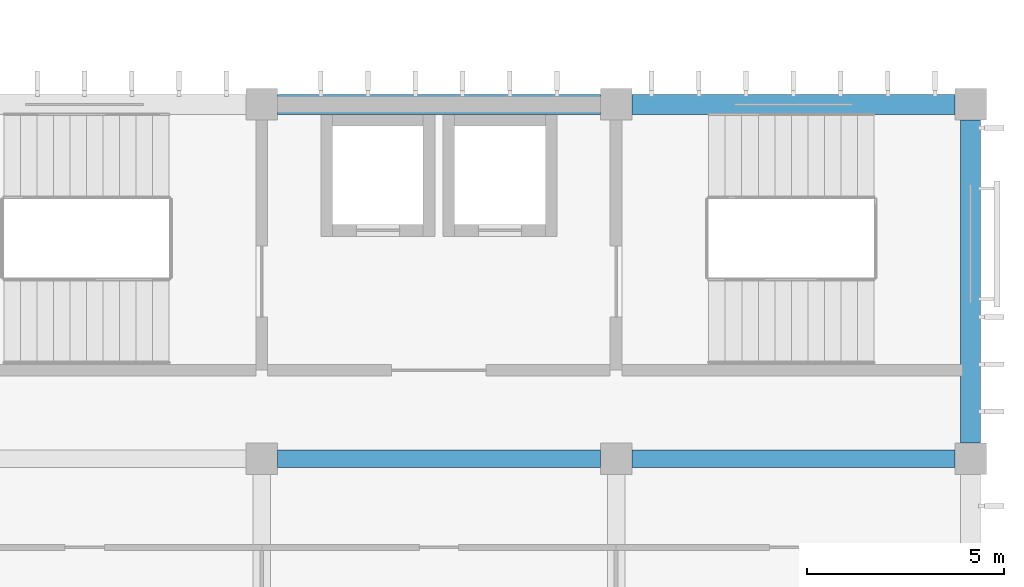
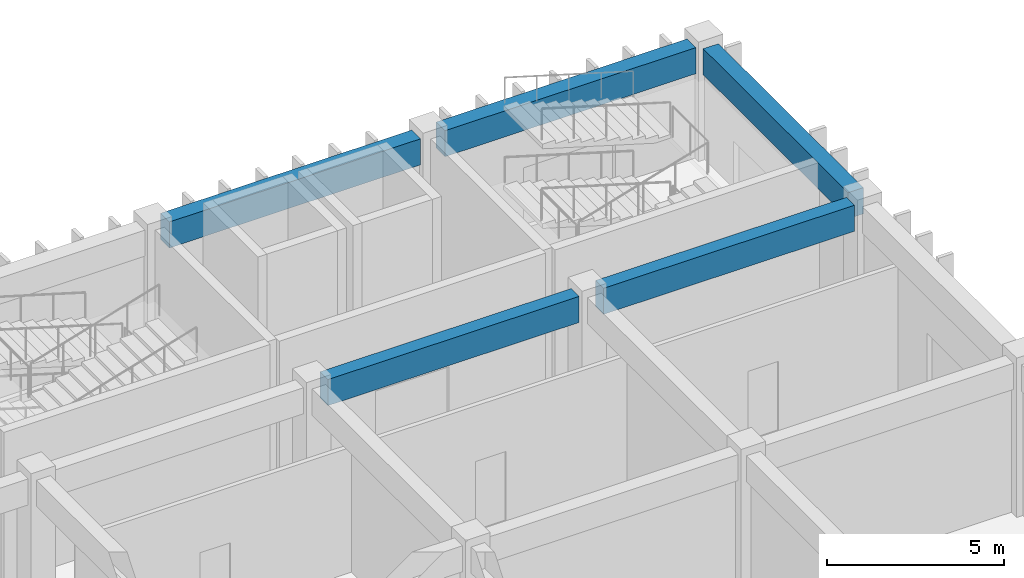
# One storey, part 219 of 437: 5 beams.
"""IFC4 building model written with IfcOpenShell, lengths in metres."""

from ifc_helpers import new_model, si_unit, direction, frame, origin, origin_2d, place, context, subcontext, project, spatial, rectangle, extrude, material, material_profile, profile_set, type_object, element, save


model = new_model("IFC4")

# Units and contexts
model_context = context("Model", 3, precision=1e-05, world=origin(), true_north=direction((0.0, 1.0)))
body_context = subcontext(model_context, "Body", "Model", "MODEL_VIEW")
ifc_project = project(units=[si_unit("LENGTHUNIT", "METRE"), si_unit("AREAUNIT", "SQUARE_METRE"), si_unit("VOLUMEUNIT", "CUBIC_METRE"), si_unit("PLANEANGLEUNIT", "RADIAN"), si_unit("MASSUNIT", "GRAM", prefix="KILO")], contexts=[model_context])

# Site, building, storey
site_placement = place(None, origin())
site = spatial("IfcSite", under=ifc_project, at=site_placement, CompositionType="ELEMENT")
building_placement = place(site_placement, origin())
building = spatial("IfcBuilding", under=site, at=building_placement, Name="Opaline Strait Convention Centre", CompositionType="ELEMENT")
storey_placement = place(building_placement, frame((0.0, 0.0, 11.5)))
storey = spatial("IfcBuildingStorey", under=building, at=storey_placement, Name="L02", CompositionType="ELEMENT", Elevation=11.5)

# Beams
ifc_material = material(Name="Concrete C35", Category="concrete")
ifc_material_profile_1 = material_profile(ifc_material, rectangle(XDim=0.449951171875, YDim=0.89990234375, at=origin_2d()), Name="RC 450x900")
ifc_profile_set_1 = profile_set([ifc_material_profile_1], Name="Concrete C35")
beam_type_1 = type_object("IfcBeamType", Name="RC beam 450x900 C35", PredefinedType="BEAM", material=ifc_profile_set_1)
for number, where, z_axis, x_axis, name in (
    (1, (342.39990234375, 171.0, 4.77001953125), (1.0, 0.0, 0.0), (0.0, 1.0, 0.0), "XB1 L02 39/V-40/V"),
    (2, (351.39990234375, 171.0, 4.77001953125), (1.0, 0.0, 0.0), (0.0, 1.0, 0.0), "XB1 L02 40/V-41/V"),
):
    element("IfcBeam", number, at=place(storey_placement, frame(where, z_axis=z_axis, x_axis=x_axis)), inside=storey, type_object=beam_type_1, Name=name, PredefinedType="BEAM", context=body_context, shape_type="SweptSolid", body=[
        extrude(rectangle(XDim=0.449951171875, YDim=0.89990234375, at=origin_2d()), origin(), (0.0, 0.0, 1.0), 8.2001953125),
    ])
ifc_material_profile_2 = material_profile(ifc_material, rectangle(XDim=0.5, YDim=0.89990234375, at=origin_2d()), Name="RC 500x900")
ifc_profile_set_2 = profile_set([ifc_material_profile_2], Name="Concrete C35")
beam_type_2 = type_object("IfcBeamType", Name="RC edge beam 500x900 C35", PredefinedType="BEAM", material=ifc_profile_set_2)
for number, where, z_axis, x_axis, name in (
    (3, (342.39990234375, 180.0, 4.77001953125), (1.0, 0.0, 0.0), (0.0, 1.0, 0.0), "MRB2 L02 39/W-40/W"),
    (4, (351.39990234375, 180.0, 4.77001953125), (1.0, 0.0, 0.0), (0.0, 1.0, 0.0), "MRB2 L02 40/W-41/W"),
    (5, (360.0, 171.39990234375, 4.77001953125), (0.0, 1.0, 0.0), (-1.0, 0.0, 0.0), "MRB2 L02 41/V-41/W"),
):
    element("IfcBeam", number, at=place(storey_placement, frame(where, z_axis=z_axis, x_axis=x_axis)), inside=storey, type_object=beam_type_2, Name=name, PredefinedType="BEAM", context=body_context, shape_type="SweptSolid", body=[
        extrude(rectangle(XDim=0.5, YDim=0.89990234375, at=origin_2d()), origin(), (0.0, 0.0, 1.0), 8.2001953125),
    ])

save(model, "model.ifc")
